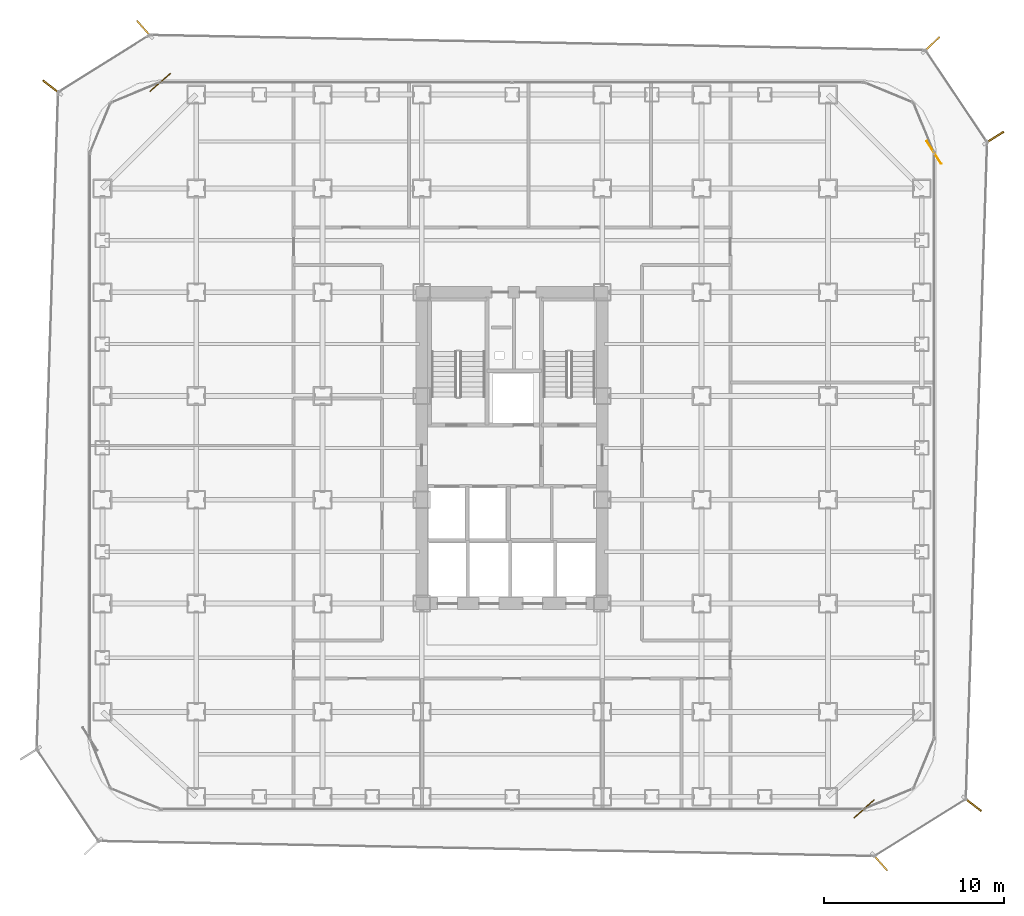
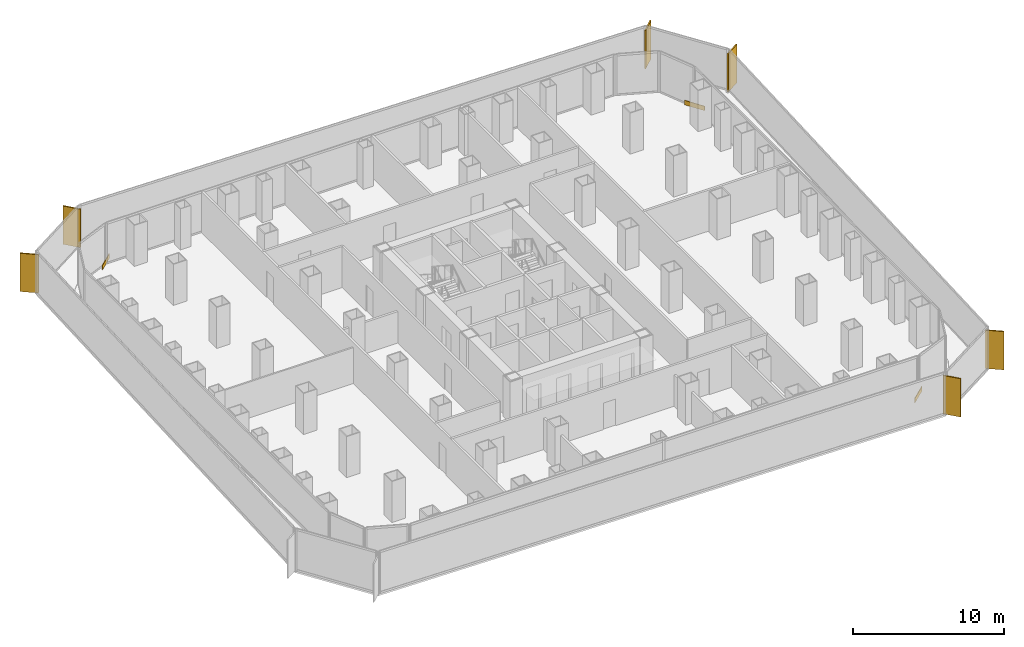
# One storey, part 21 of 21: 6 shading devices, 3 coverings.
"""IFC4 building model written with IfcOpenShell, lengths in metres."""

from ifc_helpers import new_model, si_unit, direction, frame, origin, origin_2d, place, context, subcontext, project, spatial, rectangle, extrude, source, transform, mapped, material, layer, layer_set, type_object, element, save


model = new_model("IFC4")

# Units and contexts
model_context = context("Model", 3, precision=1e-05, world=origin(), true_north=direction((0.0, 1.0)))
body_context = subcontext(model_context, "Body", "Model", "MODEL_VIEW")
ifc_project = project(units=[si_unit("LENGTHUNIT", "METRE"), si_unit("AREAUNIT", "SQUARE_METRE"), si_unit("VOLUMEUNIT", "CUBIC_METRE"), si_unit("PLANEANGLEUNIT", "RADIAN"), si_unit("MASSUNIT", "GRAM", prefix="KILO")], contexts=[model_context])

# Site, building, storey
site_placement = place(None, origin())
site = spatial("IfcSite", under=ifc_project, at=site_placement, CompositionType="ELEMENT")
building_placement = place(site_placement, origin())
building = spatial("IfcBuilding", under=site, at=building_placement, Name="Kolveth Station Tower", CompositionType="ELEMENT")
storey_placement = place(building_placement, frame((0.0, 0.0, 33.300048828125)))
storey = spatial("IfcBuildingStorey", under=building, at=storey_placement, Name="L08", CompositionType="ELEMENT", Elevation=33.300048828125)

# Shading devices
ifc_material_1 = material(Name="Black anodized aluminium 6063-T6", Category="aluminium")
shading_device_type = type_object("IfcShadingDeviceType", Name="FIN_VF1", PredefinedType="USERDEFINED", material=ifc_material_1)
shared_shape_1 = source(origin(), body_context, "Body", "SweptSolid", [
    extrude(rectangle(XDim=1.25, YDim=0.090087890625, at=origin_2d()), origin(), (0.0, 0.0, 1.0), 3.10009765625),
])
for number, where, z_axis, x_axis, name in (
    (1, (43.8798828125, -2.830078125, 0.0), (0.0, 0.0, 1.0), (0.66183538044, -0.749649204093, 0.0), "L08 Dark-Aluminium Solar Fin 1"),
    (2, (49.00390625, 0.39111328125, 0.0), (0.0, 0.0, 1.0), (0.788976859824, -0.614422911896, 0.0), "L08 Dark-Aluminium Solar Fin 2"),
    (3, (50.2060546875, 37.306884765625, 0.0), (0.0, 0.0, 1.0), (0.842734381236, 0.53832960413, 0.0), "L08 Dark-Aluminium Solar Fin 3"),
    (4, (46.736083984375, 42.467041015625, 0.0), (0.0, 0.0, 1.0), (0.722846553171, 0.691008582124, 0.0), "L08 Dark-Aluminium Solar Fin 4"),
    (5, (3.1201171875, 43.3359375, 0.0), (0.0, 0.0, 1.0), (-0.66183538044, 0.749649204093, 0.0), "L08 Dark-Aluminium Solar Fin 5"),
    (6, (-2.001953125, 40.10791015625, 0.0), (0.0, 0.0, 1.0), (-0.788976859824, 0.614422911896, 0.0), "L08 Dark-Aluminium Solar Fin 6"),
):
    element("IfcShadingDevice", number, at=place(storey_placement, frame(where, z_axis=z_axis, x_axis=x_axis)), inside=storey, type_object=shading_device_type, Name=name, ObjectType="FIN", PredefinedType="USERDEFINED", context=body_context, shape_type="MappedRepresentation", body=[
        mapped(shared_shape_1, transform((0.0, 0.0, 0.0), x_axis=(1.0, 0.0, 0.0), y_axis=(0.0, 1.0, 0.0), z_axis=(0.0, 0.0, 1.0), scale=1.0)),
    ])

# Coverings
ifc_material_2 = material(Name="Charcoal anodized aluminium spandrel cladding", Category="aluminium")
ifc_layer = layer(ifc_material_2, 0.044921875)
ifc_layer_set = layer_set([ifc_layer], Name="Charcoal anodized aluminium spandrel cladding")
covering_type = type_object("IfcCoveringType", Name="Clad_CD1", PredefinedType="CLADDING", material=ifc_layer_set)
shared_shape_2 = source(origin(), body_context, "Body", "SweptSolid", [
    extrude(rectangle(XDim=1.5, YDim=0.044921875, at=origin_2d()), origin(), (0.0, 0.0, 1.0), 0.360107421875),
])
for number, where, z_axis, x_axis, name in (
    (7, (43.0, 0.1201171875, 0.0), (0.0, 0.0, 1.0), (0.749649204093, 0.66183538044, 0.0), "L08 Spandrel Edge Cladding 1"),
    (8, (46.8798828125, 36.5, 0.0), (0.0, 0.0, 1.0), (-0.53832960413, 0.842734381236, 0.0), "L08 Spandrel Edge Cladding 3"),
    (9, (4.0, 40.3798828125, 0.0), (0.0, 0.0, 1.0), (-0.749649204093, -0.66183538044, 0.0), "L08 Spandrel Edge Cladding 5"),
):
    element("IfcCovering", number, at=place(storey_placement, frame(where, z_axis=z_axis, x_axis=x_axis)), inside=storey, type_object=covering_type, Name=name, PredefinedType="CLADDING", context=body_context, shape_type="MappedRepresentation", body=[
        mapped(shared_shape_2, transform((0.0, 0.0, 0.0), x_axis=(1.0, 0.0, 0.0), y_axis=(0.0, 1.0, 0.0), z_axis=(0.0, 0.0, 1.0), scale=1.0)),
    ])

save(model, "model.ifc")
